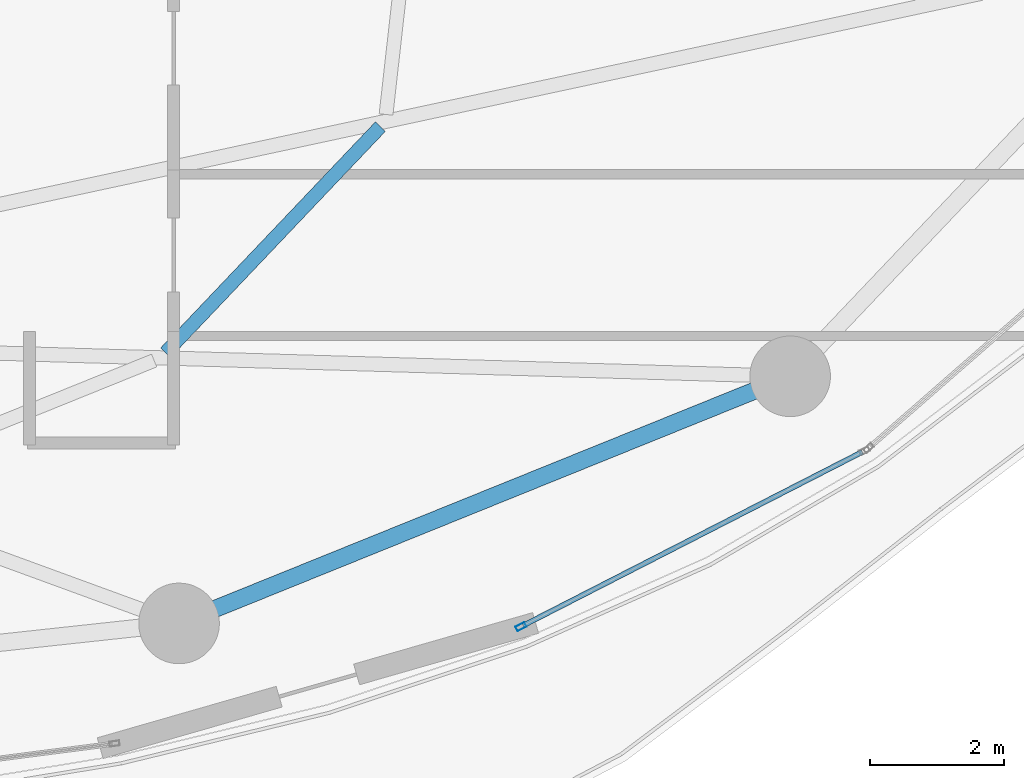
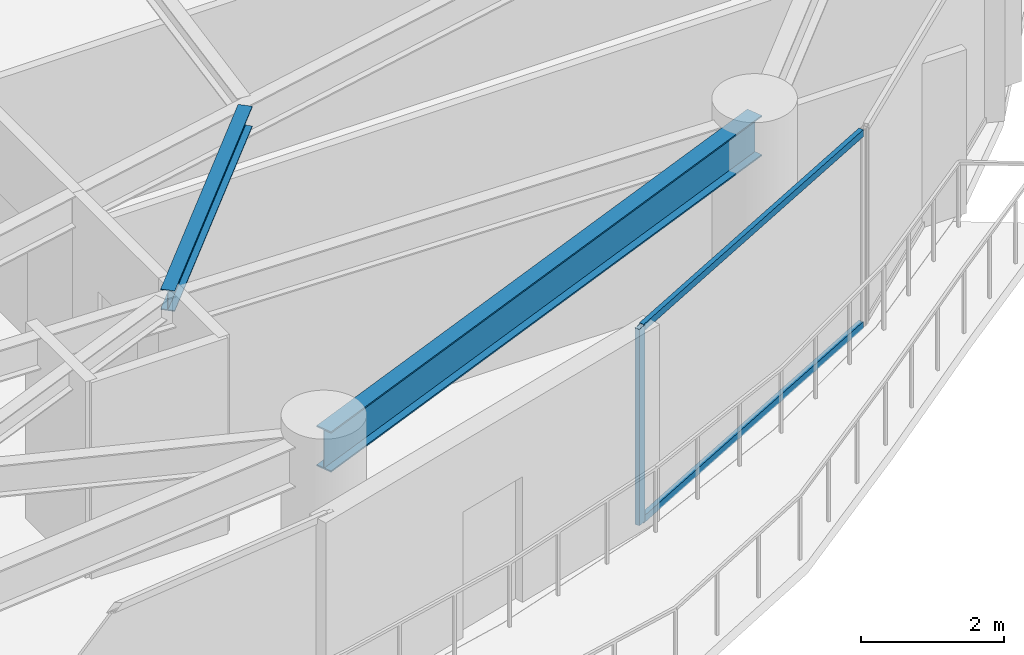
# One storey, part 11 of 28: 3 members, 2 beams, 1 element without a shape of its own.
"""IFC4 building model written with IfcOpenShell, lengths in metres."""

from ifc_helpers import new_model, si_unit, direction, frame, origin, origin_2d, place, context, subcontext, project, spatial, hollow_rectangle, i_section, extrude, material, layer, layer_set, material_profile, profile_set, type_object, element, aggregate, save


model = new_model("IFC4")

# Units and contexts
model_context = context("Model", 3, precision=1e-05, world=origin(), true_north=direction((0.0, 1.0)))
body_context = subcontext(model_context, "Body", "Model", "MODEL_VIEW")
ifc_project = project(units=[si_unit("LENGTHUNIT", "METRE"), si_unit("AREAUNIT", "SQUARE_METRE"), si_unit("VOLUMEUNIT", "CUBIC_METRE"), si_unit("PLANEANGLEUNIT", "RADIAN"), si_unit("MASSUNIT", "GRAM", prefix="KILO")], contexts=[model_context])

# Site, building, storey
site_placement = place(None, origin())
site = spatial("IfcSite", under=ifc_project, at=site_placement, CompositionType="ELEMENT")
building_placement = place(site_placement, origin())
building = spatial("IfcBuilding", under=site, at=building_placement, Name="Kazevale Care Tower and Concert Hall", CompositionType="ELEMENT")
storey_placement = place(building_placement, frame((0.0, 0.0, 138.60009765625)))
storey = spatial("IfcBuildingStorey", under=building, at=storey_placement, Name="L36", CompositionType="ELEMENT", Elevation=138.60009765625)

# Curtain wall, members
ifc_material_1 = material(Name="Aluminium 6063-T6 and Low-E Glass", Category="aluminium")
ifc_layer = layer(ifc_material_1, 0.179931640625)
ifc_layer_set = layer_set([ifc_layer], Name="Aluminium 6063-T6 and Low-E Glass")
curtain_wall_type = type_object("IfcCurtainWallType", Name="Sheltered Concave Balcony Curtain Wall CW-5", PredefinedType="NOTDEFINED", material=ifc_layer_set)
curtain_wall_placement = place(storey_placement, origin())
curtain_wall = element("IfcCurtainWall", 1, at=curtain_wall_placement, inside=storey, type_object=curtain_wall_type, Name="cw:L36:f03", PredefinedType="NOTDEFINED")
ifc_material_2 = material(Name="Aluminium 6063-T6", Category="aluminium")
ifc_material_profile_1 = material_profile(ifc_material_2, hollow_rectangle(XDim=0.074951171875, YDim=0.14990234375, WallThickness=0.00390625, at=origin_2d()), Name="ALU75x150x4")
ifc_profile_set_1 = profile_set([ifc_material_profile_1], Name="Aluminium 6063-T6")
member_type_1 = type_object("IfcMemberType", Name="CW-5 Mullion ALU75x150x4", PredefinedType="MULLION", material=ifc_profile_set_1)
member_1_placement = place(storey_placement, frame((60.822265625, 19.26220703125, 0.0), z_axis=(0.0, 0.0, 1.0), x_axis=(0.455713236575, -0.890126646051, 0.0)))
member_1 = element("IfcMember", 2, at=member_1_placement, type_object=member_type_1, Name="CW-5 mullion 2", PredefinedType="MULLION", context=body_context, shape_type="SweptSolid", body=[
    extrude(hollow_rectangle(XDim=0.074951171875, YDim=0.14990234375, WallThickness=0.00390625, at=origin_2d()), origin(), (0.0, 0.0, 1.0), 3.35986328125),
])
ifc_material_profile_2 = material_profile(ifc_material_2, hollow_rectangle(XDim=0.074951171875, YDim=0.1201171875, WallThickness=0.00390625, at=origin_2d()), Name="ALU75x120x4")
ifc_profile_set_2 = profile_set([ifc_material_profile_2], Name="Aluminium 6063-T6")
member_type_2 = type_object("IfcMemberType", Name="CW-5 Transom ALU75x120x4", PredefinedType="USERDEFINED", material=ifc_profile_set_2)
member_2_placement = place(storey_placement, frame((65.904296875, 21.86376953125, 0.037353515625), z_axis=(-0.890142600475, -0.455682072084, 0.0), x_axis=(0.455682072084, -0.890142600475, 0.0)))
member_2 = element("IfcMember", 3, at=member_2_placement, type_object=member_type_2, Name="CW-5 transom 1.1", ObjectType="TRANSOM", PredefinedType="USERDEFINED", context=body_context, shape_type="SweptSolid", body=[
    extrude(hollow_rectangle(XDim=0.074951171875, YDim=0.1201171875, WallThickness=0.00390625, at=origin_2d()), origin(), (0.0, 0.0, 1.0), 5.671630859375),
])
member_3_placement = place(storey_placement, frame((65.904296875, 21.86376953125, 3.322509765625), z_axis=(-0.890142600475, -0.455682072084, 0.0), x_axis=(0.455682072084, -0.890142600475, 0.0)))
member_3 = element("IfcMember", 4, at=member_3_placement, type_object=member_type_2, Name="CW-5 transom 1.2", ObjectType="TRANSOM", PredefinedType="USERDEFINED", context=body_context, shape_type="SweptSolid", body=[
    extrude(hollow_rectangle(XDim=0.074951171875, YDim=0.1201171875, WallThickness=0.00390625, at=origin_2d()), origin(), (0.0, 0.0, 1.0), 5.671630859375),
])
aggregate(curtain_wall, [member_1, member_2, member_3])

# Beams
ifc_material_3 = material(Name="Steel ASTM A572 Gr 50", Category="steel")
ifc_material_profile_3 = material_profile(ifc_material_3, i_section(OverallWidth=0.205078125, OverallDepth=0.35400390625, WebThickness=0.009521484375, FlangeThickness=0.016845703125, at=origin_2d()), Name="W360x79")
ifc_profile_set_3 = profile_set([ifc_material_profile_3], Name="Steel ASTM A572 Gr 50")
beam_type_1 = type_object("IfcBeamType", Name="Secondary Floor Joist W360x79", PredefinedType="JOIST", material=ifc_profile_set_3)
beam_1_placement = place(storey_placement, frame((55.529052734375, 23.341064453125, 3.182861328125), z_axis=(0.688792288395, 0.724958746032, 0.0), x_axis=(-0.724958746032, 0.688792288395, 0.0)))
element("IfcBeam", 5, at=beam_1_placement, inside=storey, type_object=beam_type_1, Name="beam:L36:joist:15", PredefinedType="JOIST", context=body_context, shape_type="SweptSolid", body=[
    extrude(i_section(OverallWidth=0.205078125, OverallDepth=0.35400390625, WebThickness=0.009521484375, FlangeThickness=0.016845703125, at=origin_2d()), origin(), (0.0, 0.0, 1.0), 4.644287109375),
])
ifc_material_profile_4 = material_profile(ifc_material_3, i_section(OverallWidth=0.256103515625, OverallDepth=0.693115234375, WebThickness=0.014404296875, FlangeThickness=0.023681640625, at=origin_2d()), Name="W690x170")
ifc_profile_set_4 = profile_set([ifc_material_profile_4], Name="Steel ASTM A572 Gr 50")
beam_type_2 = type_object("IfcBeamType", Name="Waist Ring Beam W690x170", PredefinedType="BEAM", material=ifc_profile_set_4)
beam_2_placement = place(storey_placement, frame((55.72998046875, 19.31005859375, 3.013427734375), z_axis=(0.927068687828, 0.374891515041, 0.0), x_axis=(-0.374891515041, 0.927068687828, 0.0)))
element("IfcBeam", 6, at=beam_2_placement, inside=storey, type_object=beam_type_2, Name="beam:L36:ring:14", PredefinedType="BEAM", context=body_context, shape_type="SweptSolid", body=[
    extrude(i_section(OverallWidth=0.256103515625, OverallDepth=0.693115234375, WebThickness=0.014404296875, FlangeThickness=0.023681640625, at=origin_2d()), origin(), (0.0, 0.0, 1.0), 9.81591796875),
])

save(model, "model.ifc")
